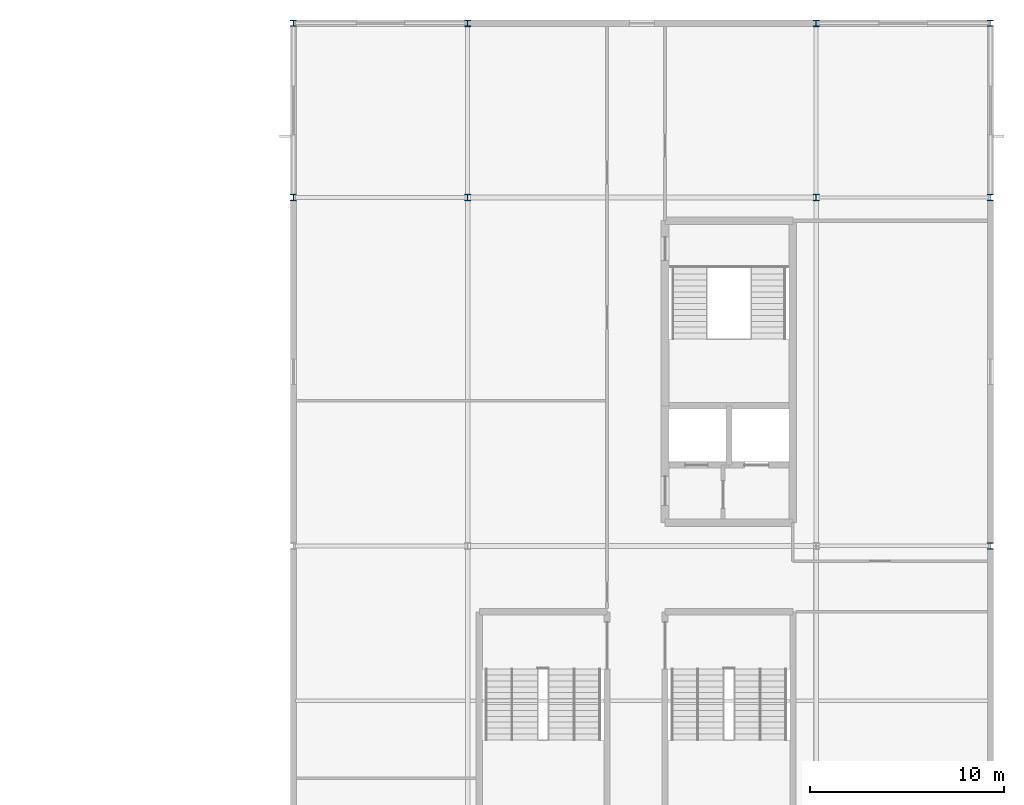
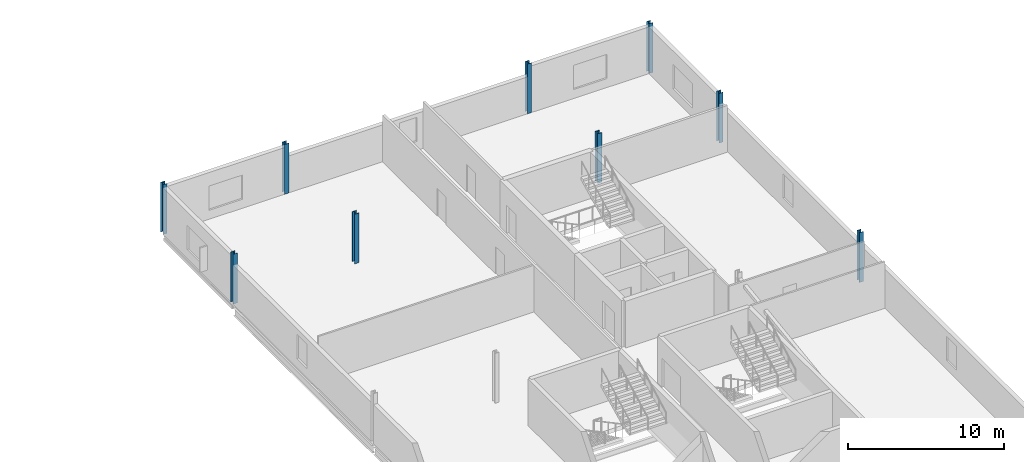
# One storey, part 8 of 27: 9 columns.
"""IFC4 building model written with IfcOpenShell, lengths in metres."""

from ifc_helpers import new_model, si_unit, direction, frame, origin, origin_2d, place, context, subcontext, project, spatial, i_section, extrude, material, material_profile, profile_set, type_object, element, save


model = new_model("IFC4")

# Units and contexts
model_context = context("Model", 3, precision=1e-05, world=origin(), true_north=direction((0.0, 1.0)))
body_context = subcontext(model_context, "Body", "Model", "MODEL_VIEW")
ifc_project = project(units=[si_unit("LENGTHUNIT", "METRE"), si_unit("AREAUNIT", "SQUARE_METRE"), si_unit("VOLUMEUNIT", "CUBIC_METRE"), si_unit("PLANEANGLEUNIT", "RADIAN"), si_unit("MASSUNIT", "GRAM", prefix="KILO")], contexts=[model_context])

# Site, building, storey
site_placement = place(None, origin())
site = spatial("IfcSite", under=ifc_project, at=site_placement, CompositionType="ELEMENT")
building_placement = place(site_placement, origin())
building = spatial("IfcBuilding", under=site, at=building_placement, Name="Kisiwana Market Hall", CompositionType="ELEMENT")
storey_placement = place(building_placement, frame((0.0, 0.0, 41.699951171875)))
storey = spatial("IfcBuildingStorey", under=building, at=storey_placement, Name="L09", CompositionType="ELEMENT", Elevation=41.699951171875)

# Columns
ifc_material_1 = material(Name="Steel S355", Category="steel")
ifc_material_profile_1 = material_profile(ifc_material_1, i_section(OverallWidth=0.30908203125, OverallDepth=0.320556640625, WebThickness=0.013916015625, FlangeThickness=0.021728515625, at=origin_2d()), Name="UC 305x305x137")
ifc_profile_set_1 = profile_set([ifc_material_profile_1], Name="Steel S355")
column_type_1 = type_object("IfcColumnType", Name="COL-STL-UC137", PredefinedType="COLUMN", material=ifc_profile_set_1)
for number, where, z_axis, x_axis, name in (
    (1, (162.0, 102.0, 0.0), (0.0, 0.0, 1.0), (1.0, 0.0, 0.0), "Column N/19 (L09) C-1240"),
    (2, (162.0, 111.0, 0.0), (0.0, 0.0, 1.0), (1.0, 0.0, 0.0), "Column P/19 (L09) C-1241"),
    (3, (198.0, 84.0, 0.0), (0.0, 0.0, 1.0), (1.0, 0.0, 0.0), "Column L/23 (L09) C-1259"),
    (4, (198.0, 102.0, 0.0), (0.0, 0.0, 1.0), (1.0, 0.0, 0.0), "Column N/23 (L09) C-1260"),
    (5, (198.0, 111.0, 0.0), (0.0, 0.0, 1.0), (1.0, 0.0, 0.0), "Column P/23 (L09) C-1261"),
):
    element("IfcColumn", number, at=place(storey_placement, frame(where, z_axis=z_axis, x_axis=x_axis)), inside=storey, type_object=column_type_1, Name=name, PredefinedType="COLUMN", context=body_context, shape_type="SweptSolid", body=[
        extrude(i_section(OverallWidth=0.30908203125, OverallDepth=0.320556640625, WebThickness=0.013916015625, FlangeThickness=0.021728515625, at=origin_2d()), origin(), (0.0, 0.0, 1.0), 3.900146484375),
    ])
ifc_material_2 = material(Name="Steel S355", Category="steel")
ifc_material_profile_2 = material_profile(ifc_material_2, i_section(OverallWidth=0.314453125, OverallDepth=0.33984375, WebThickness=0.01904296875, FlangeThickness=0.031494140625, at=origin_2d()), Name="UC 305x305x198")
ifc_profile_set_2 = profile_set([ifc_material_profile_2], Name="Steel S355")
column_type_2 = type_object("IfcColumnType", Name="COL-STL-UC198", PredefinedType="COLUMN", material=ifc_profile_set_2)
for number, where, z_axis, x_axis, name in (
    (6, (171.0, 102.0, 0.0), (0.0, 0.0, 1.0), (1.0, 0.0, 0.0), "Column N/20 (L09) C-1247"),
    (7, (171.0, 111.0, 0.0), (0.0, 0.0, 1.0), (1.0, 0.0, 0.0), "Column P/20 (L09) C-1248"),
    (8, (189.0, 102.0, 0.0), (0.0, 0.0, 1.0), (1.0, 0.0, 0.0), "Column N/22 (L09) C-1253"),
    (9, (189.0, 111.0, 0.0), (0.0, 0.0, 1.0), (1.0, 0.0, 0.0), "Column P/22 (L09) C-1254"),
):
    element("IfcColumn", number, at=place(storey_placement, frame(where, z_axis=z_axis, x_axis=x_axis)), inside=storey, type_object=column_type_2, Name=name, PredefinedType="COLUMN", context=body_context, shape_type="SweptSolid", body=[
        extrude(i_section(OverallWidth=0.314453125, OverallDepth=0.33984375, WebThickness=0.01904296875, FlangeThickness=0.031494140625, at=origin_2d()), origin(), (0.0, 0.0, 1.0), 3.900146484375),
    ])

save(model, "model.ifc")
